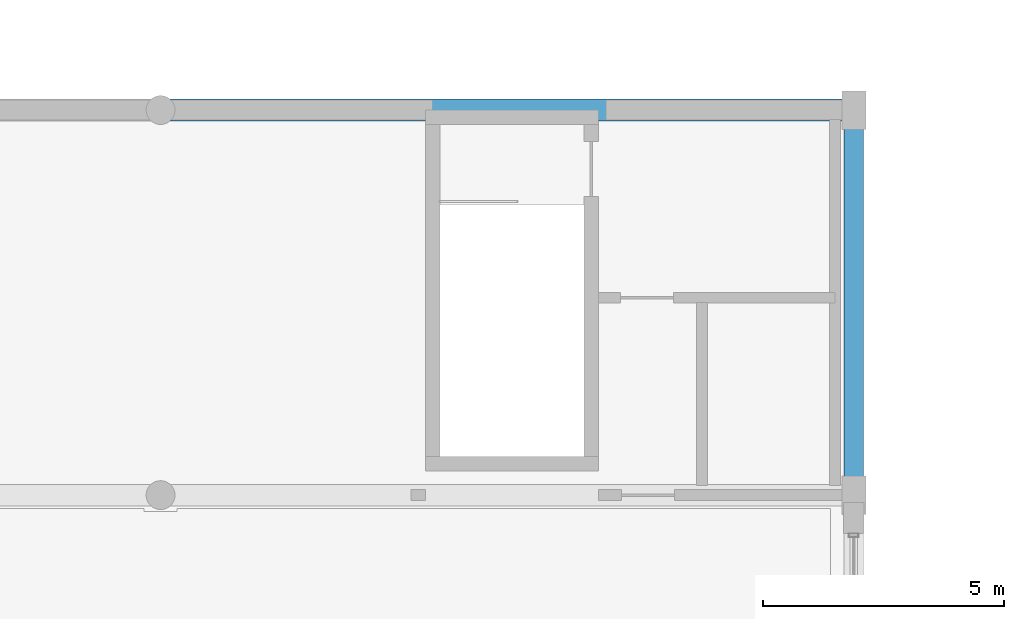
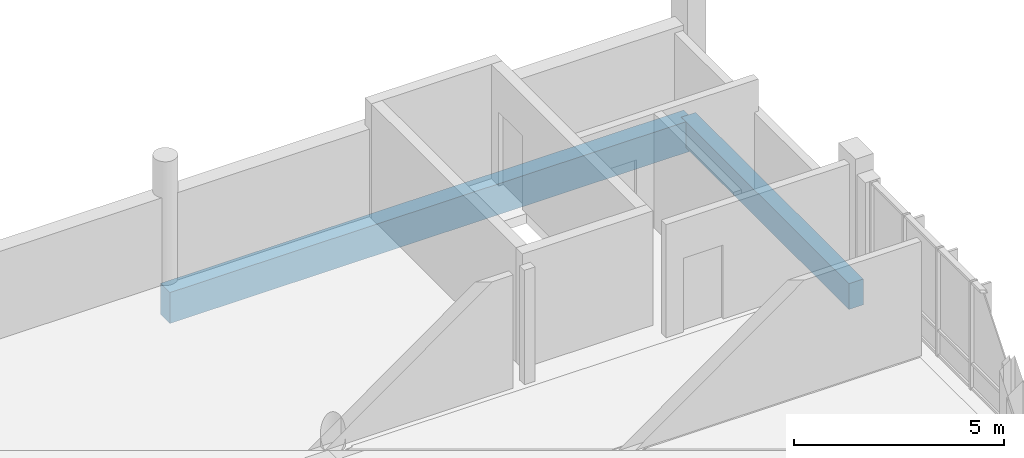
# One storey, part 90 of 189: 2 beams.
"""IFC4 building model written with IfcOpenShell, lengths in metres."""

from ifc_helpers import new_model, si_unit, direction, frame, origin, origin_2d, place, context, subcontext, project, spatial, rectangle, extrude, material, material_profile, profile_set, type_object, element, save


model = new_model("IFC4")

# Units and contexts
model_context = context("Model", 3, precision=1e-05, world=origin(), true_north=direction((0.0, 1.0)))
body_context = subcontext(model_context, "Body", "Model", "MODEL_VIEW")
ifc_project = project(units=[si_unit("LENGTHUNIT", "METRE"), si_unit("AREAUNIT", "SQUARE_METRE"), si_unit("VOLUMEUNIT", "CUBIC_METRE"), si_unit("PLANEANGLEUNIT", "RADIAN"), si_unit("MASSUNIT", "GRAM", prefix="KILO")], contexts=[model_context])

# Site, building, storey
site_placement = place(None, origin())
site = spatial("IfcSite", under=ifc_project, at=site_placement, CompositionType="ELEMENT")
building_placement = place(site_placement, origin())
building = spatial("IfcBuilding", under=site, at=building_placement, Name="Zavelmont Quarter", CompositionType="ELEMENT")
storey_placement = place(building_placement, frame((0.0, 0.0, 4.39990234375)))
storey = spatial("IfcBuildingStorey", under=building, at=storey_placement, Name="L01", CompositionType="ELEMENT", Elevation=4.39990234375)

# Beams
ifc_material = material(Name="Concrete C40/50", Category="concrete")
ifc_material_profile_1 = material_profile(ifc_material, rectangle(XDim=0.39990234375, YDim=0.75, at=origin_2d()), Name="RC400X750")
ifc_profile_set_1 = profile_set([ifc_material_profile_1], Name="Concrete C40/50")
beam_type_1 = type_object("IfcBeamType", Name="BM05", PredefinedType="BEAM", material=ifc_profile_set_1)
beam_1_placement = place(storey_placement, frame((112.800048828125, 78.0, -0.65478515625), z_axis=(0.0, 1.0, 0.0), x_axis=(-1.0, 0.0, 0.0)))
element("IfcBeam", 1, at=beam_1_placement, inside=storey, type_object=beam_type_1, Name="L01 beam BM05 17/M to 17/N", PredefinedType="BEAM", context=body_context, shape_type="SweptSolid", body=[
    extrude(rectangle(XDim=0.39990234375, YDim=0.75, at=origin_2d()), origin(), (0.0, 0.0, 1.0), 8.0),
])
ifc_material_profile_2 = material_profile(ifc_material, rectangle(XDim=0.449951171875, YDim=0.89990234375, at=origin_2d()), Name="RC450X900")
ifc_profile_set_2 = profile_set([ifc_material_profile_2], Name="Concrete C40/50")
beam_type_2 = type_object("IfcBeamType", Name="BM06", PredefinedType="BEAM", material=ifc_profile_set_2)
beam_2_placement = place(storey_placement, frame((98.39990234375, 86.0, -0.72998046875), z_axis=(1.0, 0.0, 0.0), x_axis=(0.0, 1.0, 0.0)))
element("IfcBeam", 2, at=beam_2_placement, inside=storey, type_object=beam_type_2, Name="L01 beam BM06 15/N to 17/N", PredefinedType="BEAM", context=body_context, shape_type="SweptSolid", body=[
    extrude(rectangle(XDim=0.449951171875, YDim=0.89990234375, at=origin_2d()), origin(), (0.0, 0.0, 1.0), 14.400146484375),
])

save(model, "model.ifc")
